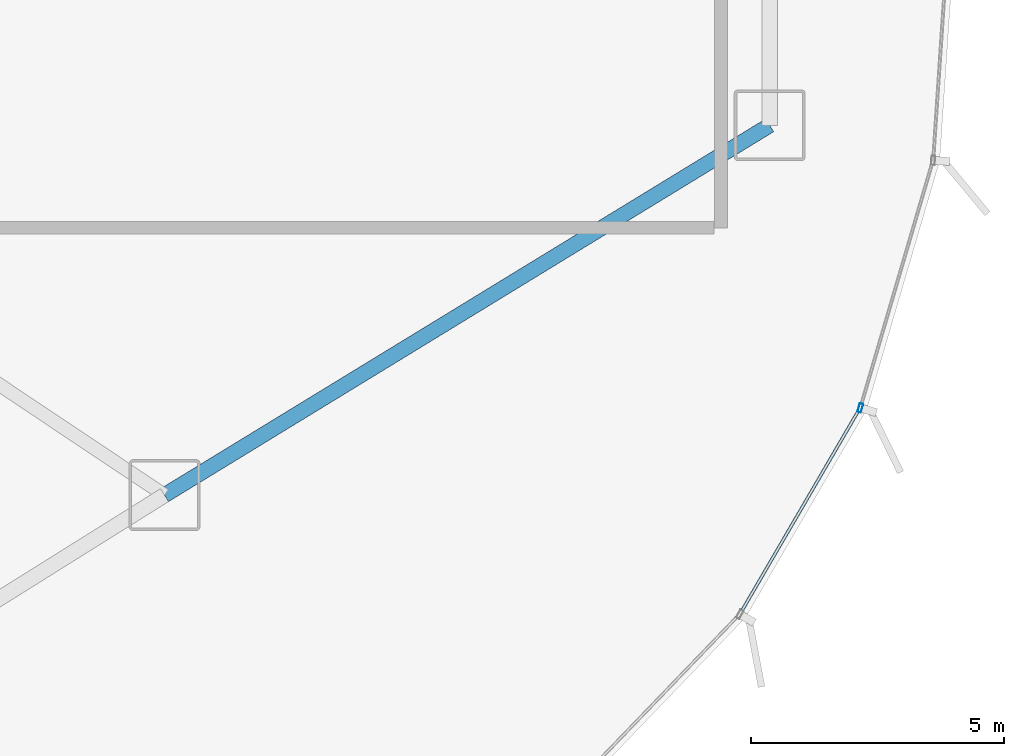
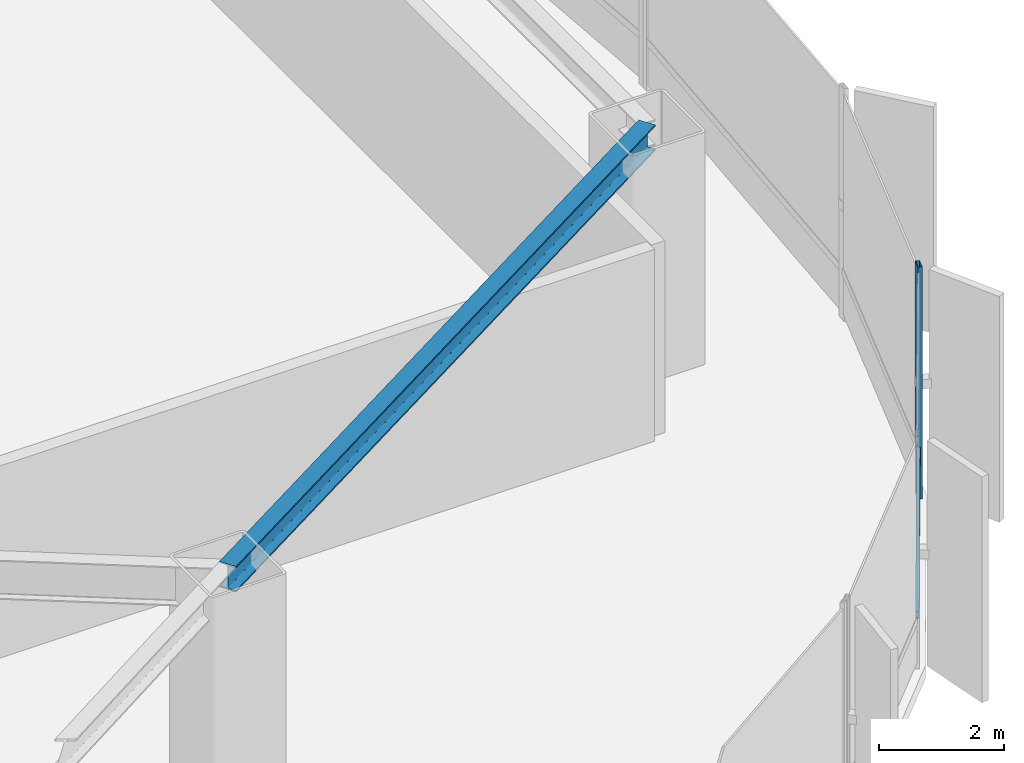
# One storey, part 17 of 33: 2 members, 1 beam, 1 element without a shape of its own.
"""IFC4 building model written with IfcOpenShell, lengths in metres."""

from ifc_helpers import new_model, si_unit, direction, frame, origin, origin_2d, place, context, subcontext, project, spatial, hollow_rectangle, i_section, extrude, source, transform, mapped, material, layer, layer_set, material_profile, profile_set, type_object, element, aggregate, save


model = new_model("IFC4")

# Units and contexts
model_context = context("Model", 3, precision=1e-05, world=origin(), true_north=direction((0.0, 1.0)))
body_context = subcontext(model_context, "Body", "Model", "MODEL_VIEW")
ifc_project = project(units=[si_unit("LENGTHUNIT", "METRE"), si_unit("AREAUNIT", "SQUARE_METRE"), si_unit("VOLUMEUNIT", "CUBIC_METRE"), si_unit("PLANEANGLEUNIT", "RADIAN"), si_unit("MASSUNIT", "GRAM", prefix="KILO"), si_unit("THERMODYNAMICTEMPERATUREUNIT", "KELVIN")], contexts=[model_context])

# Site, building, storey
site_placement = place(None, origin())
site = spatial("IfcSite", under=ifc_project, at=site_placement, CompositionType="ELEMENT")
building_placement = place(site_placement, origin())
building = spatial("IfcBuilding", under=site, at=building_placement, Name="Kethvar Cultural Tower", CompositionType="ELEMENT")
storey_placement = place(building_placement, frame((0.0, 0.0, 10.0)))
storey = spatial("IfcBuildingStorey", under=building, at=storey_placement, Name="L02", CompositionType="ELEMENT", Elevation=10.0)

# Beam
ifc_material_1 = material(Name="Steel S355J2", Category="steel")
ifc_material_profile_1 = material_profile(ifc_material_1, i_section(OverallWidth=0.300048828125, OverallDepth=0.5, WebThickness=0.014404296875, FlangeThickness=0.028076171875, FilletRadius=0.027099609375, at=origin_2d()), Name="Steel S355J2 — HEB500")
ifc_profile_set_1 = profile_set([ifc_material_profile_1], Name="Steel S355J2 — HEB500")
beam_type = type_object("IfcBeamType", Name="BM-SP500", PredefinedType="SPANDREL", material=ifc_profile_set_1)
shared_shape_1 = source(origin(), body_context, "Body", "SweptSolid", [
    extrude(i_section(OverallWidth=0.300048828125, OverallDepth=0.5, WebThickness=0.014404296875, FlangeThickness=0.028076171875, FilletRadius=0.027099609375, at=origin_2d()), origin(), (0.0, 0.0, 1.0), 13.997802734375),
])
beam_placement = place(storey_placement, frame((67.41845703125, 14.023193359375, 4.278076171875), z_axis=(0.853252083851, 0.521498687826, 0.0), x_axis=(-0.521498687826, 0.853252083851, 0.0)))
element("IfcBeam", 1, at=beam_placement, inside=storey, type_object=beam_type, Name="L02 Podium Ring Beam 15", PredefinedType="SPANDREL", context=body_context, shape_type="MappedRepresentation", body=[
    mapped(shared_shape_1, transform((0.0, 0.0, 0.0), scale=1.0)),
])

# Curtain wall, members
ifc_material_2 = material(Name="Aluminium 6063-T6", Category="aluminium")
ifc_layer = layer(ifc_material_2, 0.179931640625, Name="Aluminium 6063-T6", Category="aluminium")
ifc_layer_set = layer_set([ifc_layer], Name="Aluminium 6063-T6 (180 mm)")
curtain_wall_type = type_object("IfcCurtainWallType", Name="CW-SYS-01-POD", PredefinedType="NOTDEFINED", material=ifc_layer_set)
curtain_wall_placement = place(storey_placement, origin())
curtain_wall = element("IfcCurtainWall", 2, at=curtain_wall_placement, inside=storey, type_object=curtain_wall_type, Name="L02 Curtain Wall Run 06", PredefinedType="NOTDEFINED")
ifc_material_profile_2 = material_profile(ifc_material_2, hollow_rectangle(XDim=0.06005859375, YDim=0.139892578125, WallThickness=0.0048828125, at=origin_2d()), Name="Aluminium 6063-T6 — RHS140x60x5")
ifc_profile_set_2 = profile_set([ifc_material_profile_2], Name="Aluminium 6063-T6 — RHS140x60x5")
member_type_1 = type_object("IfcMemberType", Name="CW-SYS-01-POD-TRN", PredefinedType="USERDEFINED", material=ifc_profile_set_2)
shared_shape_2 = source(origin(), body_context, "Body", "SweptSolid", [
    extrude(hollow_rectangle(XDim=0.06005859375, YDim=0.139892578125, WallThickness=0.0048828125, at=origin_2d()), origin(), (0.0, 0.0, 1.0), 4.639892578125),
])
member_1_placement = place(storey_placement, frame((78.79931640625, 11.71826171875, 0.949951171875), z_axis=(0.503504560489, 0.863992568004, 0.0), x_axis=(-0.863992568004, 0.503504560489, 0.0)))
member_1 = element("IfcMember", 3, at=member_1_placement, type_object=member_type_1, Name="CW-L02-R06 Transom 2", ObjectType="TRANSOM", PredefinedType="USERDEFINED", context=body_context, shape_type="MappedRepresentation", body=[
    mapped(shared_shape_2, transform((0.0, 0.0, 0.0), scale=1.0)),
])
ifc_material_profile_3 = material_profile(ifc_material_2, hollow_rectangle(XDim=0.074951171875, YDim=0.179931640625, WallThickness=0.006103515625, at=origin_2d()), Name="Aluminium 6063-T6 — RHS180x75x6")
ifc_profile_set_3 = profile_set([ifc_material_profile_3], Name="Aluminium 6063-T6 — RHS180x75x6")
member_type_2 = type_object("IfcMemberType", Name="CW-SYS-01-POD-MUL", PredefinedType="MULLION", material=ifc_profile_set_3)
shared_shape_3 = source(origin(), body_context, "Body", "SweptSolid", [
    extrude(hollow_rectangle(XDim=0.074951171875, YDim=0.179931640625, WallThickness=0.006103515625, at=origin_2d()), origin(), (0.0, 0.0, 1.0), 4.530029296875),
])
member_2_placement = place(storey_placement, frame((81.150390625, 15.744873046875, 0.0), z_axis=(0.0, 0.0, 1.0), x_axis=(-0.959496102658, 0.28172190008, 0.0)))
member_2 = element("IfcMember", 4, at=member_2_placement, type_object=member_type_2, Name="CW-L02-R06 Mullion 3", PredefinedType="MULLION", context=body_context, shape_type="MappedRepresentation", body=[
    mapped(shared_shape_3, transform((0.0, 0.0, 0.0), scale=1.0)),
])
aggregate(curtain_wall, [member_2, member_1])

save(model, "model.ifc")
